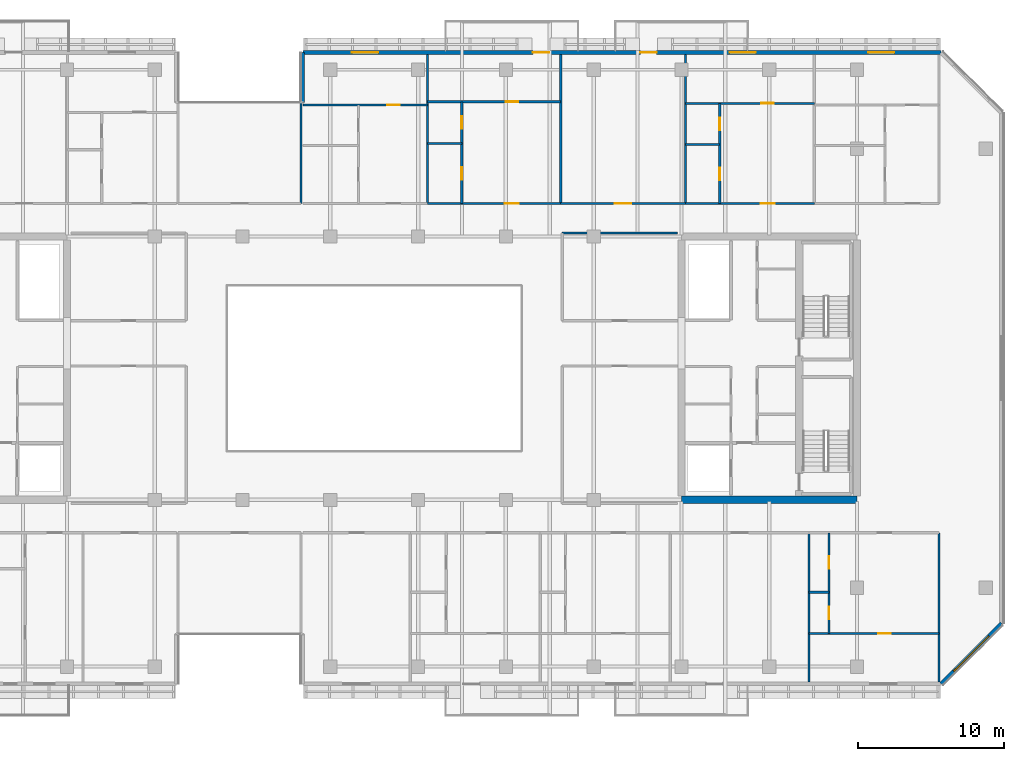
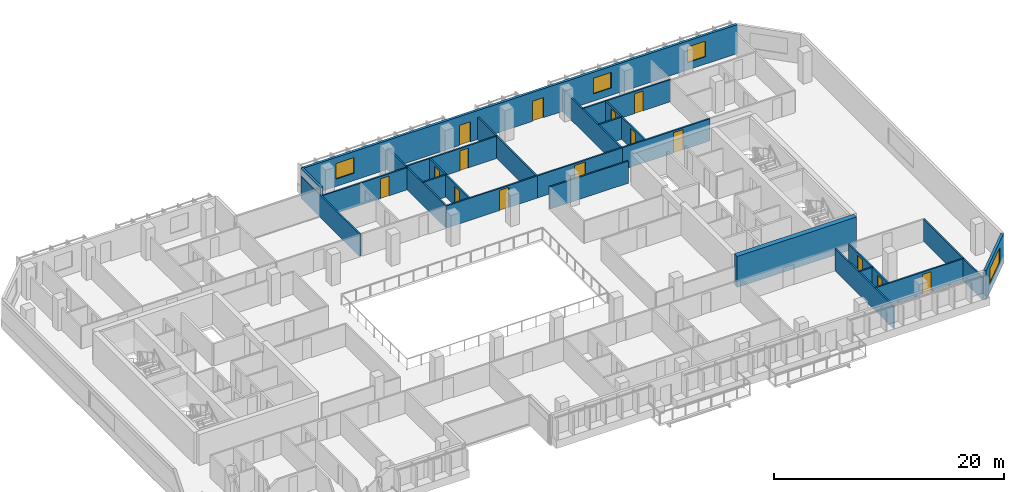
# One storey, part 13 of 20: 24 walls, 15 doors, 4 windows, 19 openings.
"""IFC4 building model written with IfcOpenShell, lengths in metres."""

from ifc_helpers import new_model, si_unit, direction, frame, frame_2d, origin, place, context, subcontext, project, spatial, rectangle, extrude, material, layer, layer_set, type_object, element, fill, save


model = new_model("IFC4")

# Units and contexts
model_context = context("Model", 3, precision=1e-05, world=origin(), true_north=direction((0.0, 1.0)))
body_context = subcontext(model_context, "Body", "Model", "MODEL_VIEW")
ifc_project = project(units=[si_unit("LENGTHUNIT", "METRE"), si_unit("AREAUNIT", "SQUARE_METRE"), si_unit("VOLUMEUNIT", "CUBIC_METRE"), si_unit("PLANEANGLEUNIT", "RADIAN"), si_unit("MASSUNIT", "GRAM", prefix="KILO")], contexts=[model_context])

# Site, building, storey
site_placement = place(None, origin())
site = spatial("IfcSite", under=ifc_project, at=site_placement, CompositionType="ELEMENT")
building_placement = place(site_placement, origin())
building = spatial("IfcBuilding", under=site, at=building_placement, Name="Tanjung Sevakor Pilgrim Tower", CompositionType="ELEMENT")
storey_placement = place(building_placement, frame((0.0, 0.0, 141.89990234375)))
storey = spatial("IfcBuildingStorey", under=building, at=storey_placement, Name="L39", CompositionType="ELEMENT", Elevation=141.89990234375)

# Walls
ifc_material_1 = material(Name="Concrete C60/75", Category="concrete")
ifc_layer_1 = layer(ifc_material_1, 0.5)
ifc_layer_set_1 = layer_set([ifc_layer_1], Name="WALL-CW-500")
wall_type_1 = type_object("IfcWallType", Name="WALL-CW-500", PredefinedType="SHEAR", material=ifc_layer_set_1)
wall_1_placement = place(storey_placement, frame((78.0, 24.60009765625, 0.0), z_axis=(0.0, 0.0, 1.0), x_axis=(1.0, 0.0, 0.0)))
element("IfcWall", 1, at=wall_1_placement, inside=storey, type_object=wall_type_1, Name="L39 E Core South Shear Wall", PredefinedType="SHEAR", context=body_context, shape_type="SweptSolid", body=[
    extrude(rectangle(XDim=12.0, YDim=0.5, at=frame_2d((6.0, 0.0))), origin(), (0.0, 0.0, 1.0), 3.300048828125),
])
ifc_material_2 = material(Name="Concrete C40/50", Category="concrete")
ifc_layer_2 = layer(ifc_material_2, 0.14990234375)
ifc_layer_set_2 = layer_set([ifc_layer_2], Name="WT-COMP-150")
wall_type_2 = type_object("IfcWallType", Name="WT-COMP-150", PredefinedType="SOLIDWALL", material=ifc_layer_set_2)
wall_2_placement = place(storey_placement, frame((69.85009765625, 42.85009765625, 0.0), z_axis=(0.0, 0.0, 1.0), x_axis=(1.0, 0.0, 0.0)))
element("IfcWall", 2, at=wall_2_placement, inside=storey, type_object=wall_type_2, Name="L39 Partition IW-L39-037", PredefinedType="SOLIDWALL", context=body_context, shape_type="SweptSolid", body=[
    extrude(rectangle(XDim=7.8798828125, YDim=0.14990234375, at=frame_2d((3.93994140625, 0.0))), origin(), (0.0, 0.0, 1.0), 2.35009765625),
])
wall_3_placement = place(storey_placement, frame((52.0, 44.85009765625, 0.0), z_axis=(0.0, 0.0, 1.0), x_axis=(0.0, 1.0, 0.0)))
element("IfcWall", 3, at=wall_3_placement, inside=storey, type_object=wall_type_2, Name="L39 Partition IW-L39-044", PredefinedType="SOLIDWALL", context=body_context, shape_type="SweptSolid", body=[
    extrude(rectangle(XDim=10.199951171875, YDim=0.14990234375, at=frame_2d((5.10009765625, 0.0))), origin(), (0.0, 0.0, 1.0), 2.35009765625),
])
for number, where, z_axis, x_axis, name in (
    (4, (95.60009765625, 12.14990234375, 0.0), (0.0, 0.0, 1.0), (0.0, 1.0, 0.0), "L39 Partition IW-L39-056"),
    (5, (86.72021484375, 12.14990234375, 0.0), (0.0, 0.0, 1.0), (0.0, 1.0, 0.0), "L39 Partition IW-L39-069"),
):
    element("IfcWall", number, at=place(storey_placement, frame(where, z_axis=z_axis, x_axis=x_axis)), inside=storey, type_object=wall_type_2, Name=name, PredefinedType="SOLIDWALL", context=body_context, shape_type="SweptSolid", body=[
        extrude(rectangle(XDim=10.2001953125, YDim=0.14990234375, at=frame_2d((5.10009765625, 0.0))), origin(), (0.0, 0.0, 1.0), 2.35009765625),
    ])
for number, where, z_axis, x_axis, name in (
    (6, (60.6396484375, 44.85009765625, 0.0), (0.0, 0.0, 1.0), (0.0, 1.0, 0.0), "L39 Partition IW-L39-087"),
    (7, (69.7470703125, 44.85009765625, 0.0), (0.0, 0.0, 1.0), (0.0, 1.0, 0.0), "L39 Partition IW-L39-092"),
):
    element("IfcWall", number, at=place(storey_placement, frame(where, z_axis=z_axis, x_axis=x_axis)), inside=storey, type_object=wall_type_2, Name=name, PredefinedType="SOLIDWALL", context=body_context, shape_type="SweptSolid", body=[
        extrude(rectangle(XDim=10.199951171875, YDim=0.14990234375, at=frame_2d((5.10009765625, 0.0))), origin(), (0.0, 0.0, 1.0), 2.35009765625),
    ])

# Wall, opening, door
wall_4_placement = place(storey_placement, frame((60.6396484375, 44.85009765625, 0.0), z_axis=(0.0, 0.0, 1.0), x_axis=(1.0, 0.0, 0.0)))
wall_4 = element("IfcWall", 8, at=wall_4_placement, inside=storey, type_object=wall_type_2, Name="L39 Partition IW-L39-096", PredefinedType="SOLIDWALL", context=body_context, shape_type="SweptSolid", body=[
    extrude(rectangle(XDim=9.107421875, YDim=0.14990234375, at=frame_2d((4.5537109375, 0.0))), origin(), (0.0, 0.0, 1.0), 2.35009765625),
])
opening_1_placement = place(wall_4_placement, frame((5.293701171875, 0.0, 0.0)))
opening_1 = element("IfcOpeningElement", 9, at=opening_1_placement, cuts=wall_4, Name="Opening ID-FD2", PredefinedType="OPENING", context=body_context, shape_type="SweptSolid", body=[
    extrude(rectangle(XDim=0.949951171875, YDim=2.14990234375, at=frame_2d((0.47509765625, 1.074951171875))), frame((0.0, 0.0849609375, 0.0), z_axis=(0.0, -1.0, 0.0), x_axis=(1.0, 0.0, 0.0)), (0.0, 0.0, 1.0), 0.169921875),
])
ifc_material_3 = material(Name="Fire-Rated Timber", Category="wood")
door_type_1 = type_object("IfcDoorType", Name="DT-FIRE-950", OperationType="NOTDEFINED", PredefinedType="DOOR", material=ifc_material_3)
door_1_placement = place(opening_1_placement, origin())
door_1 = element("IfcDoor", 10, at=door_1_placement, inside=storey, type_object=door_type_1, Name="Residence Entrance", OperationType="SINGLE_SWING_LEFT", OverallHeight=2.14990234375, OverallWidth=0.949951171875, PredefinedType="DOOR", context=body_context, shape_type="SweptSolid", body=[
    extrude(rectangle(XDim=0.949951171875, YDim=2.14990234375, at=frame_2d((0.47509765625, 1.074951171875))), frame((0.0, 0.02490234375, 0.0), z_axis=(0.0, -1.0, 0.0), x_axis=(1.0, 0.0, 0.0)), (0.0, 0.0, 1.0), 0.050048828125),
])
fill(opening_1, door_1)

# Wall
wall_5_placement = place(storey_placement, frame((78.2666015625, 44.85009765625, 0.0), z_axis=(0.0, 0.0, 1.0), x_axis=(0.0, 1.0, 0.0)))
element("IfcWall", 11, at=wall_5_placement, inside=storey, type_object=wall_type_2, Name="L39 Partition IW-L39-097", PredefinedType="SOLIDWALL", context=body_context, shape_type="SweptSolid", body=[
    extrude(rectangle(XDim=10.199951171875, YDim=0.14990234375, at=frame_2d((5.10009765625, 0.0))), origin(), (0.0, 0.0, 1.0), 2.35009765625),
])

# Wall, opening, door
wall_6_placement = place(storey_placement, frame((69.7470703125, 44.85009765625, 0.0), z_axis=(0.0, 0.0, 1.0), x_axis=(1.0, 0.0, 0.0)))
wall_6 = element("IfcWall", 12, at=wall_6_placement, inside=storey, type_object=wall_type_2, Name="L39 Partition IW-L39-098", PredefinedType="SOLIDWALL", context=body_context, shape_type="SweptSolid", body=[
    extrude(rectangle(XDim=8.51953125, YDim=0.14990234375, at=frame_2d((4.259765625, 0.0))), origin(), (0.0, 0.0, 1.0), 2.35009765625),
])
opening_2_placement = place(wall_6_placement, frame((3.7099609375, 0.0, 0.0)))
opening_2 = element("IfcOpeningElement", 13, at=opening_2_placement, cuts=wall_6, Name="Opening ID-FD0", PredefinedType="OPENING", context=body_context, shape_type="SweptSolid", body=[
    extrude(rectangle(XDim=1.10009765625, YDim=2.14990234375, at=frame_2d((0.550048828125, 1.074951171875))), frame((0.0, 0.0849609375, 0.0), z_axis=(0.0, -1.0, 0.0), x_axis=(1.0, 0.0, 0.0)), (0.0, 0.0, 1.0), 0.169921875),
])
ifc_material_4 = material(Name="Fire-Rated Steel S355J2", Category="steel")
door_type_2 = type_object("IfcDoorType", Name="DT-FIRE-1100", OperationType="NOTDEFINED", PredefinedType="DOOR", material=ifc_material_4)
door_2_placement = place(opening_2_placement, origin())
door_2 = element("IfcDoor", 14, at=door_2_placement, inside=storey, type_object=door_type_2, Name="Communal Lounge Door", OperationType="SINGLE_SWING_RIGHT", OverallHeight=2.14990234375, OverallWidth=1.10009765625, PredefinedType="DOOR", context=body_context, shape_type="SweptSolid", body=[
    extrude(rectangle(XDim=1.10009765625, YDim=2.14990234375, at=frame_2d((0.550048828125, 1.074951171875))), frame((0.0, 0.02490234375, 0.0), z_axis=(0.0, -1.0, 0.0), x_axis=(1.0, 0.0, 0.0)), (0.0, 0.0, 1.0), 0.050048828125),
])
fill(opening_2, door_2)

wall_7_placement = place(storey_placement, frame((78.2666015625, 44.85009765625, 0.0), z_axis=(0.0, 0.0, 1.0), x_axis=(1.0, 0.0, 0.0)))
wall_7 = element("IfcWall", 15, at=wall_7_placement, inside=storey, type_object=wall_type_2, Name="L39 Partition IW-L39-103", PredefinedType="SOLIDWALL", context=body_context, shape_type="SweptSolid", body=[
    extrude(rectangle(XDim=8.8134765625, YDim=0.14990234375, at=frame_2d((4.40673828125, 0.0))), origin(), (0.0, 0.0, 1.0), 2.35009765625),
])
opening_3_placement = place(wall_7_placement, frame((5.146728515625, 0.0, 0.0)))
opening_3 = element("IfcOpeningElement", 16, at=opening_3_placement, cuts=wall_7, Name="Opening ID-FD2", PredefinedType="OPENING", context=body_context, shape_type="SweptSolid", body=[
    extrude(rectangle(XDim=0.949951171875, YDim=2.14990234375, at=frame_2d((0.47509765625, 1.074951171875))), frame((0.0, 0.0849609375, 0.0), z_axis=(0.0, -1.0, 0.0), x_axis=(1.0, 0.0, 0.0)), (0.0, 0.0, 1.0), 0.169921875),
])
door_3_placement = place(opening_3_placement, origin())
door_3 = element("IfcDoor", 17, at=door_3_placement, inside=storey, type_object=door_type_1, Name="Residence Entrance", OperationType="SINGLE_SWING_RIGHT", OverallHeight=2.14990234375, OverallWidth=0.949951171875, PredefinedType="DOOR", context=body_context, shape_type="SweptSolid", body=[
    extrude(rectangle(XDim=0.949951171875, YDim=2.14990234375, at=frame_2d((0.47509765625, 1.074951171875))), frame((0.0, 0.02490234375, 0.0), z_axis=(0.0, -1.0, 0.0), x_axis=(1.0, 0.0, 0.0)), (0.0, 0.0, 1.0), 0.050048828125),
])
fill(opening_3, door_3)

# Wall, opening, window
ifc_material_5 = material(Name="Precast concrete C45/55", Category="concrete")
ifc_layer_3 = layer(ifc_material_5, 0.25)
ifc_layer_set_3 = layer_set([ifc_layer_3], Name="WT-EW-STN3")
wall_type_3 = type_object("IfcWallType", Name="WT-EW-STN3", PredefinedType="SOLIDWALL", material=ifc_layer_set_3)
wall_8_placement = place(storey_placement, frame((95.748291015625, 12.02490234375, 0.0), z_axis=(0.0, 0.0, 1.0), x_axis=(0.70708586489, 0.707127696864, 0.0)))
wall_8 = element("IfcWall", 18, at=wall_8_placement, inside=storey, type_object=wall_type_3, Name="L39 MAIN Sculpted Corner Wall 5", PredefinedType="SOLIDWALL", context=body_context, shape_type="SweptSolid", body=[
    extrude(rectangle(XDim=5.836181640625, YDim=0.25, at=frame_2d((2.91796875, 0.0))), origin(), (0.0, 0.0, 1.0), 3.080078125),
])
opening_4_placement = place(wall_8_placement, frame((1.218017578125, 0.0, 0.780029296875)))
opening_4 = element("IfcOpeningElement", 19, at=opening_4_placement, cuts=wall_8, Name="Opening WN-CHM-1660", PredefinedType="OPENING", context=body_context, shape_type="SweptSolid", body=[
    extrude(rectangle(XDim=3.39990234375, YDim=1.659912109375, at=frame_2d((1.699951171875, 0.830078125))), frame((0.0, 0.135009765625, 0.0), z_axis=(0.0, -1.0, 0.0), x_axis=(1.0, 0.0, 0.0)), (0.0, 0.0, 1.0), 0.27001953125),
])
ifc_material_6 = material(Name="Thermally Broken Aluminium and Low-E Glass", Category="aluminium")
window_type_1 = type_object("IfcWindowType", Name="WTYP-WN-CHM-1660", PartitioningType="DOUBLE_PANEL_VERTICAL", PredefinedType="WINDOW", material=ifc_material_6)
window_1_placement = place(opening_4_placement, origin())
window_1 = element("IfcWindow", 20, at=window_1_placement, inside=storey, type_object=window_type_1, Name="L39 Facade Window 01", OverallHeight=1.659912109375, OverallWidth=3.39990234375, PartitioningType="SINGLE_PANEL", PredefinedType="WINDOW", context=body_context, shape_type="SweptSolid", body=[
    extrude(rectangle(XDim=3.39990234375, YDim=1.659912109375, at=frame_2d((1.699951171875, 0.830078125))), frame((0.0, 0.030029296875, 0.0), z_axis=(0.0, -1.0, 0.0), x_axis=(1.0, 0.0, 0.0)), (0.0, 0.0, 1.0), 0.06005859375),
])
fill(opening_4, window_1)

# Wall, openings, doors, windows
wall_9_placement = place(storey_placement, frame((95.748291015625, 55.175048828125, 0.0), z_axis=(0.0, 0.0, 1.0), x_axis=(-1.0, 0.0, 0.0)))
wall_9 = element("IfcWall", 21, at=wall_9_placement, inside=storey, type_object=wall_type_3, Name="L39 MAIN Exterior Wall 9", PredefinedType="SOLIDWALL", context=body_context, shape_type="SweptSolid", body=[
    extrude(rectangle(XDim=43.623291015625, YDim=0.25, at=frame_2d((21.8115234375, 0.0))), origin(), (0.0, 0.0, 1.0), 3.080078125),
])
opening_5_placement = place(wall_9_placement, frame((26.798095703125, 0.0, 0.0)))
opening_5 = element("IfcOpeningElement", 22, at=opening_5_placement, cuts=wall_9, Name="Opening ED-BAL-1100", PredefinedType="OPENING", context=body_context, shape_type="SweptSolid", body=[
    extrude(rectangle(XDim=1.10009765625, YDim=2.14990234375, at=frame_2d((0.550048828125, 1.074951171875))), frame((0.0, 0.135009765625, 0.0), z_axis=(0.0, -1.0, 0.0), x_axis=(1.0, 0.0, 0.0)), (0.0, 0.0, 1.0), 0.27001953125),
])
opening_6_placement = place(wall_9_placement, frame((19.4482421875, 0.0, 0.0)))
opening_6 = element("IfcOpeningElement", 23, at=opening_6_placement, cuts=wall_9, Name="Opening ED-BAL-1100", PredefinedType="OPENING", context=body_context, shape_type="SweptSolid", body=[
    extrude(rectangle(XDim=1.10009765625, YDim=2.14990234375, at=frame_2d((0.550048828125, 1.074951171875))), frame((0.0, 0.135009765625, 0.0), z_axis=(0.0, -1.0, 0.0), x_axis=(1.0, 0.0, 0.0)), (0.0, 0.0, 1.0), 0.27001953125),
])
opening_7_placement = place(wall_9_placement, frame((38.46826171875, 0.0, 0.780029296875)))
opening_7 = element("IfcOpeningElement", 24, at=opening_7_placement, cuts=wall_9, Name="Opening WN-Z3-1660", PredefinedType="OPENING", context=body_context, shape_type="SweptSolid", body=[
    extrude(rectangle(XDim=1.800048828125, YDim=1.659912109375, at=frame_2d((0.89990234375, 0.830078125))), frame((0.0, 0.135009765625, 0.0), z_axis=(0.0, -1.0, 0.0), x_axis=(1.0, 0.0, 0.0)), (0.0, 0.0, 1.0), 0.27001953125),
])
opening_8_placement = place(wall_9_placement, frame((12.65478515625, 0.0, 0.780029296875)))
opening_8 = element("IfcOpeningElement", 25, at=opening_8_placement, cuts=wall_9, Name="Opening WN-Z3-1660", PredefinedType="OPENING", context=body_context, shape_type="SweptSolid", body=[
    extrude(rectangle(XDim=1.800048828125, YDim=1.659912109375, at=frame_2d((0.89990234375, 0.830078125))), frame((0.0, 0.135009765625, 0.0), z_axis=(0.0, -1.0, 0.0), x_axis=(1.0, 0.0, 0.0)), (0.0, 0.0, 1.0), 0.27001953125),
])
opening_9_placement = place(wall_9_placement, frame((3.18798828125, 0.0, 0.780029296875)))
opening_9 = element("IfcOpeningElement", 26, at=opening_9_placement, cuts=wall_9, Name="Opening WN-Z3-1660", PredefinedType="OPENING", context=body_context, shape_type="SweptSolid", body=[
    extrude(rectangle(XDim=1.800048828125, YDim=1.659912109375, at=frame_2d((0.89990234375, 0.830078125))), frame((0.0, 0.135009765625, 0.0), z_axis=(0.0, -1.0, 0.0), x_axis=(1.0, 0.0, 0.0)), (0.0, 0.0, 1.0), 0.27001953125),
])
ifc_material_7 = material(Name="Anodised Aluminium and Laminated Glass", Category="aluminium")
door_type_3 = type_object("IfcDoorType", Name="DTYP-ED-BAL-1100", OperationType="NOTDEFINED", PredefinedType="DOOR", material=ifc_material_7)
door_4_placement = place(opening_5_placement, frame((1.10009765625, 0.0, 0.0), z_axis=(0.0, 0.0, 1.0), x_axis=(-1.0, 0.0, 0.0)))
door_4 = element("IfcDoor", 27, at=door_4_placement, inside=storey, type_object=door_type_3, Name="L39 Balcony Door MAIN-N2", OperationType="SINGLE_SWING_LEFT", OverallHeight=2.14990234375, OverallWidth=1.10009765625, PredefinedType="DOOR", context=body_context, shape_type="SweptSolid", body=[
    extrude(rectangle(XDim=1.10009765625, YDim=2.14990234375, at=frame_2d((0.550048828125, 1.074951171875))), frame((0.0, 0.02490234375, 0.0), z_axis=(0.0, -1.0, 0.0), x_axis=(1.0, 0.0, 0.0)), (0.0, 0.0, 1.0), 0.050048828125),
])
fill(opening_5, door_4)
door_5_placement = place(opening_6_placement, frame((1.10009765625, 0.0, 0.0), z_axis=(0.0, 0.0, 1.0), x_axis=(-1.0, 0.0, 0.0)))
door_5 = element("IfcDoor", 28, at=door_5_placement, inside=storey, type_object=door_type_3, Name="L39 Balcony Door MAIN-N3", OperationType="SINGLE_SWING_RIGHT", OverallHeight=2.14990234375, OverallWidth=1.10009765625, PredefinedType="DOOR", context=body_context, shape_type="SweptSolid", body=[
    extrude(rectangle(XDim=1.10009765625, YDim=2.14990234375, at=frame_2d((0.550048828125, 1.074951171875))), frame((0.0, 0.02490234375, 0.0), z_axis=(0.0, -1.0, 0.0), x_axis=(1.0, 0.0, 0.0)), (0.0, 0.0, 1.0), 0.050048828125),
])
fill(opening_6, door_5)
ifc_material_8 = material(Name="Thermally Broken Aluminium and Low-E Glass", Category="aluminium")
window_type_2 = type_object("IfcWindowType", Name="WTYP-WN-Z3-1660", PartitioningType="DOUBLE_PANEL_VERTICAL", PredefinedType="WINDOW", material=ifc_material_8)
window_2_placement = place(opening_7_placement, origin())
window_2 = element("IfcWindow", 29, at=window_2_placement, inside=storey, type_object=window_type_2, Name="L39 Facade Window 01", OverallHeight=1.659912109375, OverallWidth=1.800048828125, PartitioningType="SINGLE_PANEL", PredefinedType="WINDOW", context=body_context, shape_type="SweptSolid", body=[
    extrude(rectangle(XDim=1.800048828125, YDim=1.659912109375, at=frame_2d((0.89990234375, 0.830078125))), frame((0.0, 0.030029296875, 0.0), z_axis=(0.0, -1.0, 0.0), x_axis=(1.0, 0.0, 0.0)), (0.0, 0.0, 1.0), 0.06005859375),
])
fill(opening_7, window_2)
window_3_placement = place(opening_8_placement, origin())
window_3 = element("IfcWindow", 30, at=window_3_placement, inside=storey, type_object=window_type_2, Name="L39 Facade Window 02", OverallHeight=1.659912109375, OverallWidth=1.800048828125, PartitioningType="SINGLE_PANEL", PredefinedType="WINDOW", context=body_context, shape_type="SweptSolid", body=[
    extrude(rectangle(XDim=1.800048828125, YDim=1.659912109375, at=frame_2d((0.89990234375, 0.830078125))), frame((0.0, 0.030029296875, 0.0), z_axis=(0.0, -1.0, 0.0), x_axis=(1.0, 0.0, 0.0)), (0.0, 0.0, 1.0), 0.06005859375),
])
fill(opening_8, window_3)
window_4_placement = place(opening_9_placement, origin())
window_4 = element("IfcWindow", 31, at=window_4_placement, inside=storey, type_object=window_type_2, Name="L39 Facade Window 03", OverallHeight=1.659912109375, OverallWidth=1.800048828125, PartitioningType="SINGLE_PANEL", PredefinedType="WINDOW", context=body_context, shape_type="SweptSolid", body=[
    extrude(rectangle(XDim=1.800048828125, YDim=1.659912109375, at=frame_2d((0.89990234375, 0.830078125))), frame((0.0, 0.030029296875, 0.0), z_axis=(0.0, -1.0, 0.0), x_axis=(1.0, 0.0, 0.0)), (0.0, 0.0, 1.0), 0.06005859375),
])
fill(opening_9, window_4)

# Walls
wall_10_placement = place(storey_placement, frame((52.125, 55.175048828125, 0.0), z_axis=(0.0, 0.0, 1.0), x_axis=(0.0, -1.0, 0.0)))
element("IfcWall", 32, at=wall_10_placement, inside=storey, type_object=wall_type_3, Name="L39 MAIN Exterior Wall 10", PredefinedType="SOLIDWALL", context=body_context, shape_type="SweptSolid", body=[
    extrude(rectangle(XDim=3.400146484375, YDim=0.25, at=frame_2d((1.7001953125, 0.0))), origin(), (0.0, 0.0, 1.0), 3.080078125),
])
ifc_material_9 = material(Name="Gypsum Board Partition", Category="gypsum board")
ifc_layer_4 = layer(ifc_material_9, 0.14990234375)
ifc_layer_set_4 = layer_set([ifc_layer_4], Name="WT-PART-150")
wall_type_4 = type_object("IfcWallType", Name="WT-PART-150", PredefinedType="PARTITIONING", material=ifc_layer_set_4)
wall_11_placement = place(storey_placement, frame((86.72021484375, 18.2919921875, 0.0), z_axis=(0.0, 0.0, 1.0), x_axis=(1.0, 0.0, 0.0)))
element("IfcWall", 33, at=wall_11_placement, inside=storey, type_object=wall_type_4, Name="L39 Partition IW-L39-071", PredefinedType="PARTITIONING", context=body_context, shape_type="SweptSolid", body=[
    extrude(rectangle(XDim=1.35986328125, YDim=0.14990234375, at=frame_2d((0.679931640625, 0.0))), origin(), (0.0, 0.0, 1.0), 2.35009765625),
])

# Wall, openings, doors
wall_12_placement = place(storey_placement, frame((88.080078125, 15.47216796875, 0.0), z_axis=(0.0, 0.0, 1.0), x_axis=(0.0, 1.0, 0.0)))
wall_12 = element("IfcWall", 34, at=wall_12_placement, inside=storey, type_object=wall_type_4, Name="L39 Partition IW-L39-072", PredefinedType="PARTITIONING", context=body_context, shape_type="SweptSolid", body=[
    extrude(rectangle(XDim=6.8779296875, YDim=0.14990234375, at=frame_2d((3.43896484375, 0.0))), origin(), (0.0, 0.0, 1.0), 2.35009765625),
])
opening_10_placement = place(wall_12_placement, frame((0.985107421875, 0.0, 0.0)))
opening_10 = element("IfcOpeningElement", 35, at=opening_10_placement, cuts=wall_12, Name="Opening ID-WC1", PredefinedType="OPENING", context=body_context, shape_type="SweptSolid", body=[
    extrude(rectangle(XDim=0.85009765625, YDim=2.10009765625, at=frame_2d((0.425048828125, 1.050048828125))), frame((0.0, 0.0849609375, 0.0), z_axis=(0.0, -1.0, 0.0), x_axis=(1.0, 0.0, 0.0)), (0.0, 0.0, 1.0), 0.169921875),
])
opening_11_placement = place(wall_12_placement, frame((4.423828125, 0.0, 0.0)))
opening_11 = element("IfcOpeningElement", 36, at=opening_11_placement, cuts=wall_12, Name="Opening ID-WC1", PredefinedType="OPENING", context=body_context, shape_type="SweptSolid", body=[
    extrude(rectangle(XDim=0.85009765625, YDim=2.10009765625, at=frame_2d((0.425048828125, 1.050048828125))), frame((0.0, 0.0849609375, 0.0), z_axis=(0.0, -1.0, 0.0), x_axis=(1.0, 0.0, 0.0)), (0.0, 0.0, 1.0), 0.169921875),
])
ifc_material_10 = material(Name="Moisture-Resistant Timber", Category="wood")
door_type_4 = type_object("IfcDoorType", Name="DT-INT-850", OperationType="NOTDEFINED", PredefinedType="DOOR", material=ifc_material_10)
door_6_placement = place(opening_10_placement, origin())
door_6 = element("IfcDoor", 37, at=door_6_placement, inside=storey, type_object=door_type_4, Name="Residence Bathroom Door", OperationType="SINGLE_SWING_RIGHT", OverallHeight=2.10009765625, OverallWidth=0.85009765625, PredefinedType="DOOR", context=body_context, shape_type="SweptSolid", body=[
    extrude(rectangle(XDim=0.85009765625, YDim=2.10009765625, at=frame_2d((0.425048828125, 1.050048828125))), frame((0.0, 0.02490234375, 0.0), z_axis=(0.0, -1.0, 0.0), x_axis=(1.0, 0.0, 0.0)), (0.0, 0.0, 1.0), 0.050048828125),
])
fill(opening_10, door_6)
door_7_placement = place(opening_11_placement, origin())
door_7 = element("IfcDoor", 38, at=door_7_placement, inside=storey, type_object=door_type_4, Name="Residence Kitchenette Door", OperationType="SINGLE_SWING_LEFT", OverallHeight=2.10009765625, OverallWidth=0.85009765625, PredefinedType="DOOR", context=body_context, shape_type="SweptSolid", body=[
    extrude(rectangle(XDim=0.85009765625, YDim=2.10009765625, at=frame_2d((0.425048828125, 1.050048828125))), frame((0.0, 0.02490234375, 0.0), z_axis=(0.0, -1.0, 0.0), x_axis=(1.0, 0.0, 0.0)), (0.0, 0.0, 1.0), 0.050048828125),
])
fill(opening_11, door_7)

# Wall, opening, door
wall_13_placement = place(storey_placement, frame((86.72021484375, 15.47216796875, 0.0), z_axis=(0.0, 0.0, 1.0), x_axis=(1.0, 0.0, 0.0)))
wall_13 = element("IfcWall", 39, at=wall_13_placement, inside=storey, type_object=wall_type_4, Name="L39 Partition IW-L39-073", PredefinedType="PARTITIONING", context=body_context, shape_type="SweptSolid", body=[
    extrude(rectangle(XDim=8.8798828125, YDim=0.14990234375, at=frame_2d((4.43994140625, 0.0))), origin(), (0.0, 0.0, 1.0), 2.35009765625),
])
opening_12_placement = place(wall_13_placement, frame((4.73486328125, 0.0, 0.0)))
opening_12 = element("IfcOpeningElement", 40, at=opening_12_placement, cuts=wall_13, Name="Opening ID-WC1", PredefinedType="OPENING", context=body_context, shape_type="SweptSolid", body=[
    extrude(rectangle(XDim=0.85009765625, YDim=2.10009765625, at=frame_2d((0.425048828125, 1.050048828125))), frame((0.0, 0.0849609375, 0.0), z_axis=(0.0, -1.0, 0.0), x_axis=(1.0, 0.0, 0.0)), (0.0, 0.0, 1.0), 0.169921875),
])
door_8_placement = place(opening_12_placement, origin())
door_8 = element("IfcDoor", 41, at=door_8_placement, inside=storey, type_object=door_type_4, Name="Residence Bedroom Door", OperationType="SINGLE_SWING_RIGHT", OverallHeight=2.10009765625, OverallWidth=0.85009765625, PredefinedType="DOOR", context=body_context, shape_type="SweptSolid", body=[
    extrude(rectangle(XDim=0.85009765625, YDim=2.10009765625, at=frame_2d((0.425048828125, 1.050048828125))), frame((0.0, 0.02490234375, 0.0), z_axis=(0.0, -1.0, 0.0), x_axis=(1.0, 0.0, 0.0)), (0.0, 0.0, 1.0), 0.050048828125),
])
fill(opening_12, door_8)

wall_14_placement = place(storey_placement, frame((52.1201171875, 51.58740234375, 0.0), z_axis=(0.0, 0.0, 1.0), x_axis=(1.0, 0.0, 0.0)))
wall_14 = element("IfcWall", 42, at=wall_14_placement, inside=storey, type_object=wall_type_4, Name="L39 Partition IW-L39-090", PredefinedType="PARTITIONING", context=body_context, shape_type="SweptSolid", body=[
    extrude(rectangle(XDim=8.51953125, YDim=0.14990234375, at=frame_2d((4.259765625, 0.0))), origin(), (0.0, 0.0, 1.0), 2.35009765625),
])
opening_13_placement = place(wall_14_placement, frame((5.77490234375, 0.0, 0.0)))
opening_13 = element("IfcOpeningElement", 43, at=opening_13_placement, cuts=wall_14, Name="Opening ID-WC1", PredefinedType="OPENING", context=body_context, shape_type="SweptSolid", body=[
    extrude(rectangle(XDim=0.85009765625, YDim=2.10009765625, at=frame_2d((0.425048828125, 1.050048828125))), frame((0.0, 0.0849609375, 0.0), z_axis=(0.0, -1.0, 0.0), x_axis=(1.0, 0.0, 0.0)), (0.0, 0.0, 1.0), 0.169921875),
])
door_9_placement = place(opening_13_placement, origin())
door_9 = element("IfcDoor", 44, at=door_9_placement, inside=storey, type_object=door_type_4, Name="Residence Bedroom Door", OperationType="SINGLE_SWING_RIGHT", OverallHeight=2.10009765625, OverallWidth=0.85009765625, PredefinedType="DOOR", context=body_context, shape_type="SweptSolid", body=[
    extrude(rectangle(XDim=0.85009765625, YDim=2.10009765625, at=frame_2d((0.425048828125, 1.050048828125))), frame((0.0, 0.02490234375, 0.0), z_axis=(0.0, -1.0, 0.0), x_axis=(1.0, 0.0, 0.0)), (0.0, 0.0, 1.0), 0.050048828125),
])
fill(opening_13, door_9)

# Wall
wall_15_placement = place(storey_placement, frame((60.6396484375, 48.956787109375, 0.0), z_axis=(0.0, 0.0, 1.0), x_axis=(1.0, 0.0, 0.0)))
element("IfcWall", 45, at=wall_15_placement, inside=storey, type_object=wall_type_4, Name="L39 Partition IW-L39-093", PredefinedType="PARTITIONING", context=body_context, shape_type="SweptSolid", body=[
    extrude(rectangle(XDim=2.35009765625, YDim=0.14990234375, at=frame_2d((1.175048828125, 0.0))), origin(), (0.0, 0.0, 1.0), 2.35009765625),
])

# Wall, openings, doors
wall_16_placement = place(storey_placement, frame((62.98974609375, 44.85009765625, 0.0), z_axis=(0.0, 0.0, 1.0), x_axis=(0.0, 1.0, 0.0)))
wall_16 = element("IfcWall", 46, at=wall_16_placement, inside=storey, type_object=wall_type_4, Name="L39 Partition IW-L39-094", PredefinedType="PARTITIONING", context=body_context, shape_type="SweptSolid", body=[
    extrude(rectangle(XDim=6.960693359375, YDim=0.14990234375, at=frame_2d((3.48046875, 0.0))), origin(), (0.0, 0.0, 1.0), 2.35009765625),
])
opening_14_placement = place(wall_16_placement, frame((1.62841796875, 0.0, 0.0)))
opening_14 = element("IfcOpeningElement", 47, at=opening_14_placement, cuts=wall_16, Name="Opening ID-WC1", PredefinedType="OPENING", context=body_context, shape_type="SweptSolid", body=[
    extrude(rectangle(XDim=0.85009765625, YDim=2.10009765625, at=frame_2d((0.425048828125, 1.050048828125))), frame((0.0, 0.0849609375, 0.0), z_axis=(0.0, -1.0, 0.0), x_axis=(1.0, 0.0, 0.0)), (0.0, 0.0, 1.0), 0.169921875),
])
opening_15_placement = place(wall_16_placement, frame((5.10888671875, 0.0, 0.0)))
opening_15 = element("IfcOpeningElement", 48, at=opening_15_placement, cuts=wall_16, Name="Opening ID-WC1", PredefinedType="OPENING", context=body_context, shape_type="SweptSolid", body=[
    extrude(rectangle(XDim=0.85009765625, YDim=2.10009765625, at=frame_2d((0.425048828125, 1.050048828125))), frame((0.0, 0.0849609375, 0.0), z_axis=(0.0, -1.0, 0.0), x_axis=(1.0, 0.0, 0.0)), (0.0, 0.0, 1.0), 0.169921875),
])
door_10_placement = place(opening_14_placement, origin())
door_10 = element("IfcDoor", 49, at=door_10_placement, inside=storey, type_object=door_type_4, Name="Residence Kitchenette Door", OperationType="SINGLE_SWING_RIGHT", OverallHeight=2.10009765625, OverallWidth=0.85009765625, PredefinedType="DOOR", context=body_context, shape_type="SweptSolid", body=[
    extrude(rectangle(XDim=0.85009765625, YDim=2.10009765625, at=frame_2d((0.425048828125, 1.050048828125))), frame((0.0, 0.02490234375, 0.0), z_axis=(0.0, -1.0, 0.0), x_axis=(1.0, 0.0, 0.0)), (0.0, 0.0, 1.0), 0.050048828125),
])
fill(opening_14, door_10)
door_11_placement = place(opening_15_placement, origin())
door_11 = element("IfcDoor", 50, at=door_11_placement, inside=storey, type_object=door_type_4, Name="Residence Bathroom Door", OperationType="SINGLE_SWING_LEFT", OverallHeight=2.10009765625, OverallWidth=0.85009765625, PredefinedType="DOOR", context=body_context, shape_type="SweptSolid", body=[
    extrude(rectangle(XDim=0.85009765625, YDim=2.10009765625, at=frame_2d((0.425048828125, 1.050048828125))), frame((0.0, 0.02490234375, 0.0), z_axis=(0.0, -1.0, 0.0), x_axis=(1.0, 0.0, 0.0)), (0.0, 0.0, 1.0), 0.050048828125),
])
fill(opening_15, door_11)

# Wall, opening, door
wall_17_placement = place(storey_placement, frame((60.6396484375, 51.810791015625, 0.0), z_axis=(0.0, 0.0, 1.0), x_axis=(1.0, 0.0, 0.0)))
wall_17 = element("IfcWall", 51, at=wall_17_placement, inside=storey, type_object=wall_type_4, Name="L39 Partition IW-L39-095", PredefinedType="PARTITIONING", context=body_context, shape_type="SweptSolid", body=[
    extrude(rectangle(XDim=9.107421875, YDim=0.14990234375, at=frame_2d((4.5537109375, 0.0))), origin(), (0.0, 0.0, 1.0), 2.35009765625),
])
opening_16_placement = place(wall_17_placement, frame((5.34375, 0.0, 0.0)))
opening_16 = element("IfcOpeningElement", 52, at=opening_16_placement, cuts=wall_17, Name="Opening ID-WC1", PredefinedType="OPENING", context=body_context, shape_type="SweptSolid", body=[
    extrude(rectangle(XDim=0.85009765625, YDim=2.10009765625, at=frame_2d((0.425048828125, 1.050048828125))), frame((0.0, 0.0849609375, 0.0), z_axis=(0.0, -1.0, 0.0), x_axis=(1.0, 0.0, 0.0)), (0.0, 0.0, 1.0), 0.169921875),
])
door_12_placement = place(opening_16_placement, origin())
door_12 = element("IfcDoor", 53, at=door_12_placement, inside=storey, type_object=door_type_4, Name="Residence Bedroom Door", OperationType="SINGLE_SWING_RIGHT", OverallHeight=2.10009765625, OverallWidth=0.85009765625, PredefinedType="DOOR", context=body_context, shape_type="SweptSolid", body=[
    extrude(rectangle(XDim=0.85009765625, YDim=2.10009765625, at=frame_2d((0.425048828125, 1.050048828125))), frame((0.0, 0.02490234375, 0.0), z_axis=(0.0, -1.0, 0.0), x_axis=(1.0, 0.0, 0.0)), (0.0, 0.0, 1.0), 0.050048828125),
])
fill(opening_16, door_12)

# Wall
wall_18_placement = place(storey_placement, frame((78.2666015625, 48.893310546875, 0.0), z_axis=(0.0, 0.0, 1.0), x_axis=(1.0, 0.0, 0.0)))
element("IfcWall", 54, at=wall_18_placement, inside=storey, type_object=wall_type_4, Name="L39 Partition IW-L39-100", PredefinedType="PARTITIONING", context=body_context, shape_type="SweptSolid", body=[
    extrude(rectangle(XDim=2.35009765625, YDim=0.14990234375, at=frame_2d((1.175048828125, 0.0))), origin(), (0.0, 0.0, 1.0), 2.35009765625),
])

# Wall, openings, doors
wall_19_placement = place(storey_placement, frame((80.61669921875, 44.85009765625, 0.0), z_axis=(0.0, 0.0, 1.0), x_axis=(0.0, 1.0, 0.0)))
wall_19 = element("IfcWall", 55, at=wall_19_placement, inside=storey, type_object=wall_type_4, Name="L39 Partition IW-L39-101", PredefinedType="PARTITIONING", context=body_context, shape_type="SweptSolid", body=[
    extrude(rectangle(XDim=6.852783203125, YDim=0.14990234375, at=frame_2d((3.42626953125, 0.0))), origin(), (0.0, 0.0, 1.0), 2.35009765625),
])
opening_17_placement = place(wall_19_placement, frame((1.5966796875, 0.0, 0.0)))
opening_17 = element("IfcOpeningElement", 56, at=opening_17_placement, cuts=wall_19, Name="Opening ID-WC1", PredefinedType="OPENING", context=body_context, shape_type="SweptSolid", body=[
    extrude(rectangle(XDim=0.85009765625, YDim=2.10009765625, at=frame_2d((0.425048828125, 1.050048828125))), frame((0.0, 0.0849609375, 0.0), z_axis=(0.0, -1.0, 0.0), x_axis=(1.0, 0.0, 0.0)), (0.0, 0.0, 1.0), 0.169921875),
])
opening_18_placement = place(wall_19_placement, frame((5.02294921875, 0.0, 0.0)))
opening_18 = element("IfcOpeningElement", 57, at=opening_18_placement, cuts=wall_19, Name="Opening ID-WC1", PredefinedType="OPENING", context=body_context, shape_type="SweptSolid", body=[
    extrude(rectangle(XDim=0.85009765625, YDim=2.10009765625, at=frame_2d((0.425048828125, 1.050048828125))), frame((0.0, 0.0849609375, 0.0), z_axis=(0.0, -1.0, 0.0), x_axis=(1.0, 0.0, 0.0)), (0.0, 0.0, 1.0), 0.169921875),
])
door_13_placement = place(opening_17_placement, origin())
door_13 = element("IfcDoor", 58, at=door_13_placement, inside=storey, type_object=door_type_4, Name="Residence Kitchenette Door", OperationType="SINGLE_SWING_LEFT", OverallHeight=2.10009765625, OverallWidth=0.85009765625, PredefinedType="DOOR", context=body_context, shape_type="SweptSolid", body=[
    extrude(rectangle(XDim=0.85009765625, YDim=2.10009765625, at=frame_2d((0.425048828125, 1.050048828125))), frame((0.0, 0.02490234375, 0.0), z_axis=(0.0, -1.0, 0.0), x_axis=(1.0, 0.0, 0.0)), (0.0, 0.0, 1.0), 0.050048828125),
])
fill(opening_17, door_13)
door_14_placement = place(opening_18_placement, origin())
door_14 = element("IfcDoor", 59, at=door_14_placement, inside=storey, type_object=door_type_4, Name="Residence Bathroom Door", OperationType="SINGLE_SWING_RIGHT", OverallHeight=2.10009765625, OverallWidth=0.85009765625, PredefinedType="DOOR", context=body_context, shape_type="SweptSolid", body=[
    extrude(rectangle(XDim=0.85009765625, YDim=2.10009765625, at=frame_2d((0.425048828125, 1.050048828125))), frame((0.0, 0.02490234375, 0.0), z_axis=(0.0, -1.0, 0.0), x_axis=(1.0, 0.0, 0.0)), (0.0, 0.0, 1.0), 0.050048828125),
])
fill(opening_18, door_14)

# Wall, opening, door
wall_20_placement = place(storey_placement, frame((78.2666015625, 51.702880859375, 0.0), z_axis=(0.0, 0.0, 1.0), x_axis=(1.0, 0.0, 0.0)))
wall_20 = element("IfcWall", 60, at=wall_20_placement, inside=storey, type_object=wall_type_4, Name="L39 Partition IW-L39-102", PredefinedType="PARTITIONING", context=body_context, shape_type="SweptSolid", body=[
    extrude(rectangle(XDim=8.8134765625, YDim=0.14990234375, at=frame_2d((4.40673828125, 0.0))), origin(), (0.0, 0.0, 1.0), 2.35009765625),
])
opening_19_placement = place(wall_20_placement, frame((5.19677734375, 0.0, 0.0)))
opening_19 = element("IfcOpeningElement", 61, at=opening_19_placement, cuts=wall_20, Name="Opening ID-WC1", PredefinedType="OPENING", context=body_context, shape_type="SweptSolid", body=[
    extrude(rectangle(XDim=0.85009765625, YDim=2.10009765625, at=frame_2d((0.425048828125, 1.050048828125))), frame((0.0, 0.0849609375, 0.0), z_axis=(0.0, -1.0, 0.0), x_axis=(1.0, 0.0, 0.0)), (0.0, 0.0, 1.0), 0.169921875),
])
door_15_placement = place(opening_19_placement, origin())
door_15 = element("IfcDoor", 62, at=door_15_placement, inside=storey, type_object=door_type_4, Name="Residence Bedroom Door", OperationType="SINGLE_SWING_LEFT", OverallHeight=2.10009765625, OverallWidth=0.85009765625, PredefinedType="DOOR", context=body_context, shape_type="SweptSolid", body=[
    extrude(rectangle(XDim=0.85009765625, YDim=2.10009765625, at=frame_2d((0.425048828125, 1.050048828125))), frame((0.0, 0.02490234375, 0.0), z_axis=(0.0, -1.0, 0.0), x_axis=(1.0, 0.0, 0.0)), (0.0, 0.0, 1.0), 0.050048828125),
])
fill(opening_19, door_15)

save(model, "model.ifc")
